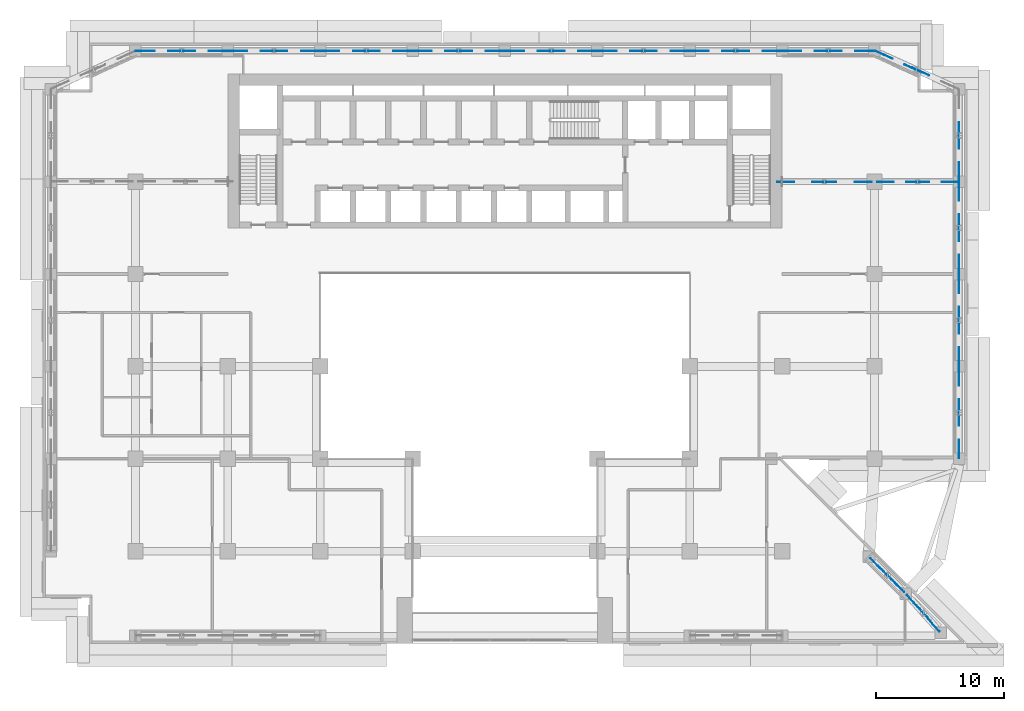
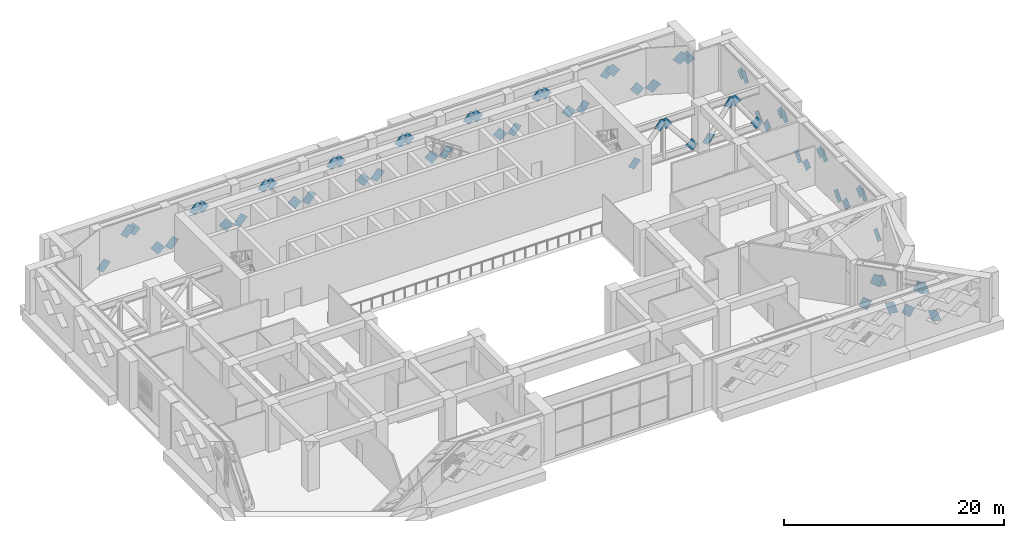
# One storey, part 13 of 19: 66 discrete accessories.
"""IFC4 building model written with IfcOpenShell, lengths in metres."""

from ifc_helpers import new_model, si_unit, direction, frame, origin, place, context, subcontext, project, spatial, polyline, outline, extrude, element, save


model = new_model("IFC4")

# Units and contexts
model_context = context("Model", 3, precision=1e-05, world=origin(), true_north=direction((0.0, 1.0)))
body_context = subcontext(model_context, "Body", "Model", "MODEL_VIEW")
ifc_project = project(units=[si_unit("LENGTHUNIT", "METRE"), si_unit("AREAUNIT", "SQUARE_METRE"), si_unit("VOLUMEUNIT", "CUBIC_METRE"), si_unit("PLANEANGLEUNIT", "RADIAN"), si_unit("MASSUNIT", "GRAM", prefix="KILO")], contexts=[model_context])

# Site, building, storey
site_placement = place(None, origin())
site = spatial("IfcSite", under=ifc_project, at=site_placement, CompositionType="ELEMENT")
building_placement = place(site_placement, origin())
building = spatial("IfcBuilding", under=site, at=building_placement, Name="Saffron Iwan Residences", CompositionType="ELEMENT")
storey_placement = place(building_placement, frame((0.0, 0.0, 107.5)))
storey = spatial("IfcBuildingStorey", under=building, at=storey_placement, Name="L28", CompositionType="ELEMENT", Elevation=107.5)

# Discrete accessories
for number, where, z_axis, x_axis, name in (
    (1, (21.630126953125, 79.800048828125, 0.511474609375), (0.0, 1.0, 0.0), (0.650255036817, 0.0, 0.759715991075), "Gusset plate L28"),
    (2, (25.619873046875, 79.800048828125, 3.78857421875), (0.0, 1.0, 0.0), (-0.650255036817, 0.0, -0.759715991075), "Gusset plate L28"),
):
    element("IfcDiscreteAccessory", number, at=place(storey_placement, frame(where, z_axis=z_axis, x_axis=x_axis)), inside=storey, Name=name, PredefinedType="BRACKET", context=body_context, shape_type="SweptSolid", body=[
        extrude(outline(polyline([(0.0, 0.0), (1.199949855551478, 0.0), (1.2000292323870267, 0.9000551304320503), (-7.937683554892772e-05, 0.8998696528951668), (0.0, 0.0)])), origin(), (0.0, 0.0, -1.0), 0.030029296875),
    ])
discrete_accessory_1_placement = place(storey_placement, frame((25.4638671875, 79.800048828125, 4.373779296875), z_axis=(0.0, 1.0, 0.0), x_axis=(0.650255036817, 0.0, -0.759715991075)))
element("IfcDiscreteAccessory", 3, at=discrete_accessory_1_placement, inside=storey, Name="Gusset plate L28", PredefinedType="BRACKET", context=body_context, shape_type="SweptSolid", body=[
    extrude(outline(polyline([(0.0, 0.0), (1.199949855551478, 0.0), (1.1998704787159291, 0.9000551304320502), (-7.937683554892772e-05, 0.9000551304320501), (0.0, 0.0)])), origin(), (0.0, 0.0, -1.0), 0.030029296875),
])
discrete_accessory_2_placement = place(storey_placement, frame((28.086181640625, 79.800048828125, -0.07373046875), z_axis=(0.0, 1.0, 0.0), x_axis=(-0.650255036817, 0.0, 0.759715991075)))
element("IfcDiscreteAccessory", 4, at=discrete_accessory_2_placement, inside=storey, Name="Gusset plate L28", PredefinedType="BRACKET", context=body_context, shape_type="SweptSolid", body=[
    extrude(outline(polyline([(0.0, 0.0), (1.199949855551478, 0.0), (1.200029232387027, 0.8998696528951668), (-7.937683554892772e-05, 0.9000551304320501), (0.0, 0.0)])), origin(), (0.0, 0.0, -1.0), 0.030029296875),
])
discrete_accessory_3_placement = place(storey_placement, frame((28.830078125, 79.800048828125, 0.511474609375), z_axis=(0.0, 1.0, 0.0), x_axis=(0.650255036817, 0.0, 0.759715991075)))
element("IfcDiscreteAccessory", 5, at=discrete_accessory_3_placement, inside=storey, Name="Gusset plate L28", PredefinedType="BRACKET", context=body_context, shape_type="SweptSolid", body=[
    extrude(outline(polyline([(0.0, 0.0), (1.199949855551478, 0.0), (1.2000292323870267, 0.9000551304320503), (7.937683554892772e-05, 0.9000551304320501), (0.0, 0.0)])), origin(), (0.0, 0.0, -1.0), 0.030029296875),
])
discrete_accessory_4_placement = place(storey_placement, frame((32.81982421875, 79.800048828125, 3.78857421875), z_axis=(0.0, 1.0, 0.0), x_axis=(-0.650255036817, 0.0, -0.759715991075)))
element("IfcDiscreteAccessory", 6, at=discrete_accessory_4_placement, inside=storey, Name="Gusset plate L28", PredefinedType="BRACKET", context=body_context, shape_type="SweptSolid", body=[
    extrude(outline(polyline([(0.0, 0.0), (1.199949855551478, 0.0), (1.2000292323870267, 0.9000551304320503), (-7.937683554892772e-05, 0.8998696528951668), (0.0, 0.0)])), origin(), (0.0, 0.0, -1.0), 0.030029296875),
])
discrete_accessory_5_placement = place(storey_placement, frame((32.663818359375, 79.800048828125, 4.373779296875), z_axis=(0.0, 1.0, 0.0), x_axis=(0.650255036817, 0.0, -0.759715991075)))
element("IfcDiscreteAccessory", 7, at=discrete_accessory_5_placement, inside=storey, Name="Gusset plate L28", PredefinedType="BRACKET", context=body_context, shape_type="SweptSolid", body=[
    extrude(outline(polyline([(0.0, 0.0), (1.199949855551478, 0.0), (1.200029232387027, 0.8998696528951668), (-7.937683554892772e-05, 0.9000551304320501), (0.0, 0.0)])), origin(), (0.0, 0.0, -1.0), 0.030029296875),
])
discrete_accessory_6_placement = place(storey_placement, frame((35.2861328125, 79.800048828125, -0.07373046875), z_axis=(0.0, 1.0, 0.0), x_axis=(-0.650255036817, 0.0, 0.759715991075)))
element("IfcDiscreteAccessory", 8, at=discrete_accessory_6_placement, inside=storey, Name="Gusset plate L28", PredefinedType="BRACKET", context=body_context, shape_type="SweptSolid", body=[
    extrude(outline(polyline([(0.0, 0.0), (1.199949855551478, 0.0), (1.1998704787159291, 0.9000551304320502), (-7.937683554892772e-05, 0.9000551304320501), (0.0, 0.0)])), origin(), (0.0, 0.0, -1.0), 0.030029296875),
])
discrete_accessory_7_placement = place(storey_placement, frame((36.030029296875, 79.800048828125, 0.511474609375), z_axis=(0.0, 1.0, 0.0), x_axis=(0.650255036817, 0.0, 0.759715991075)))
element("IfcDiscreteAccessory", 9, at=discrete_accessory_7_placement, inside=storey, Name="Gusset plate L28", PredefinedType="BRACKET", context=body_context, shape_type="SweptSolid", body=[
    extrude(outline(polyline([(0.0, 0.0), (1.199949855551478, 0.0), (1.2000292323870267, 0.9000551304320503), (7.937683554892772e-05, 0.9000551304320501), (0.0, 0.0)])), origin(), (0.0, 0.0, -1.0), 0.030029296875),
])
discrete_accessory_8_placement = place(storey_placement, frame((40.02001953125, 79.800048828125, 3.78857421875), z_axis=(0.0, 1.0, 0.0), x_axis=(-0.650372443632, 0.0, -0.759615484679)))
element("IfcDiscreteAccessory", 10, at=discrete_accessory_8_placement, inside=storey, Name="Gusset plate L28", PredefinedType="BRACKET", context=body_context, shape_type="SweptSolid", body=[
    extrude(outline(polyline([(0.0, 0.0), (1.2001086235554106, 0.0), (1.2001683221373671, 0.89986965441581), (0.00021848091682746817, 0.9000551074149994), (0.0, 0.0)])), origin(), (0.0, 0.0, -1.0), 0.030029296875),
])
discrete_accessory_9_placement = place(storey_placement, frame((39.86376953125, 79.800048828125, 4.373779296875), z_axis=(0.0, 1.0, 0.0), x_axis=(0.650372443632, 0.0, -0.759615484679)))
element("IfcDiscreteAccessory", 11, at=discrete_accessory_9_placement, inside=storey, Name="Gusset plate L28", PredefinedType="BRACKET", context=body_context, shape_type="SweptSolid", body=[
    extrude(outline(polyline([(0.0, 0.0), (1.2001086235554106, 0.0), (1.199890142638583, 0.9000551074149993), (-5.9698581956479924e-05, 0.89986965441581), (0.0, 0.0)])), origin(), (0.0, 0.0, -1.0), 0.030029296875),
])
discrete_accessory_10_placement = place(storey_placement, frame((42.486083984375, 79.800048828125, -0.07373046875), z_axis=(0.0, 1.0, 0.0), x_axis=(-0.650255036817, 0.0, 0.759715991075)))
element("IfcDiscreteAccessory", 12, at=discrete_accessory_10_placement, inside=storey, Name="Gusset plate L28", PredefinedType="BRACKET", context=body_context, shape_type="SweptSolid", body=[
    extrude(outline(polyline([(0.0, 0.0), (1.199949855551478, 0.0), (1.1998704787159291, 0.9000551304320502), (-7.937683554892772e-05, 0.9000551304320501), (0.0, 0.0)])), origin(), (0.0, 0.0, -1.0), 0.030029296875),
])
discrete_accessory_11_placement = place(storey_placement, frame((43.22998046875, 79.800048828125, 0.511474609375), z_axis=(0.0, 1.0, 0.0), x_axis=(0.650372443632, 0.0, 0.759615484679)))
element("IfcDiscreteAccessory", 13, at=discrete_accessory_11_placement, inside=storey, Name="Gusset plate L28", PredefinedType="BRACKET", context=body_context, shape_type="SweptSolid", body=[
    extrude(outline(polyline([(0.0, 0.0), (1.2001086235554106, 0.0), (1.2001683221373671, 0.89986965441581), (0.00021848091682746817, 0.9000551074149994), (0.0, 0.0)])), origin(), (0.0, 0.0, -1.0), 0.030029296875),
])
discrete_accessory_12_placement = place(storey_placement, frame((47.219970703125, 79.800048828125, 3.78857421875), z_axis=(0.0, 1.0, 0.0), x_axis=(-0.650255036817, 0.0, -0.759715991075)))
element("IfcDiscreteAccessory", 14, at=discrete_accessory_12_placement, inside=storey, Name="Gusset plate L28", PredefinedType="BRACKET", context=body_context, shape_type="SweptSolid", body=[
    extrude(outline(polyline([(0.0, 0.0), (1.199949855551478, 0.0), (1.2000292323870267, 0.9000551304320503), (7.937683554892772e-05, 0.9000551304320501), (0.0, 0.0)])), origin(), (0.0, 0.0, -1.0), 0.030029296875),
])
for number, where, z_axis, x_axis, name in (
    (15, (47.063720703125, 79.800048828125, 4.373779296875), (0.0, 1.0, 0.0), (0.650372443632, 0.0, -0.759615484679), "Gusset plate L28"),
    (16, (49.686279296875, 79.800048828125, -0.07373046875), (0.0, 1.0, 0.0), (-0.650372443632, 0.0, 0.759615484679), "Gusset plate L28"),
):
    element("IfcDiscreteAccessory", number, at=place(storey_placement, frame(where, z_axis=z_axis, x_axis=x_axis)), inside=storey, Name=name, PredefinedType="BRACKET", context=body_context, shape_type="SweptSolid", body=[
        extrude(outline(polyline([(0.0, 0.0), (1.2001086235554106, 0.0), (1.199890142638583, 0.9000551074149993), (-5.9698581956479924e-05, 0.89986965441581), (0.0, 0.0)])), origin(), (0.0, 0.0, -1.0), 0.030029296875),
    ])
discrete_accessory_13_placement = place(storey_placement, frame((50.43017578125, 79.800048828125, 0.511474609375), z_axis=(0.0, 1.0, 0.0), x_axis=(0.650255036817, 0.0, 0.759715991075)))
element("IfcDiscreteAccessory", 17, at=discrete_accessory_13_placement, inside=storey, Name="Gusset plate L28", PredefinedType="BRACKET", context=body_context, shape_type="SweptSolid", body=[
    extrude(outline(polyline([(0.0, 0.0), (1.199949855551478, 0.0), (1.2000292323870267, 0.9000551304320503), (-7.937683554892772e-05, 0.8998696528951668), (0.0, 0.0)])), origin(), (0.0, 0.0, -1.0), 0.030029296875),
])
discrete_accessory_14_placement = place(storey_placement, frame((54.419921875, 79.800048828125, 3.78857421875), z_axis=(0.0, 1.0, 0.0), x_axis=(-0.650255036817, 0.0, -0.759715991075)))
element("IfcDiscreteAccessory", 18, at=discrete_accessory_14_placement, inside=storey, Name="Gusset plate L28", PredefinedType="BRACKET", context=body_context, shape_type="SweptSolid", body=[
    extrude(outline(polyline([(0.0, 0.0), (1.199949855551478, 0.0), (1.2000292323870267, 0.9000551304320503), (7.937683554892772e-05, 0.9000551304320501), (0.0, 0.0)])), origin(), (0.0, 0.0, -1.0), 0.030029296875),
])
discrete_accessory_15_placement = place(storey_placement, frame((54.263916015625, 79.800048828125, 4.373779296875), z_axis=(0.0, 1.0, 0.0), x_axis=(0.650255036817, 0.0, -0.759715991075)))
element("IfcDiscreteAccessory", 19, at=discrete_accessory_15_placement, inside=storey, Name="Gusset plate L28", PredefinedType="BRACKET", context=body_context, shape_type="SweptSolid", body=[
    extrude(outline(polyline([(0.0, 0.0), (1.199949855551478, 0.0), (1.1998704787159291, 0.9000551304320502), (-7.937683554892772e-05, 0.9000551304320501), (0.0, 0.0)])), origin(), (0.0, 0.0, -1.0), 0.030029296875),
])
discrete_accessory_16_placement = place(storey_placement, frame((56.88623046875, 79.800048828125, -0.07373046875), z_axis=(0.0, 1.0, 0.0), x_axis=(-0.650372443632, 0.0, 0.759615484679)))
element("IfcDiscreteAccessory", 20, at=discrete_accessory_16_placement, inside=storey, Name="Gusset plate L28", PredefinedType="BRACKET", context=body_context, shape_type="SweptSolid", body=[
    extrude(outline(polyline([(0.0, 0.0), (1.2001086235554106, 0.0), (1.199890142638583, 0.9000551074149993), (-5.9698581956479924e-05, 0.89986965441581), (0.0, 0.0)])), origin(), (0.0, 0.0, -1.0), 0.030029296875),
])
for number, where, z_axis, x_axis, name in (
    (21, (57.630126953125, 79.800048828125, 0.511474609375), (0.0, 1.0, 0.0), (0.650255036817, 0.0, 0.759715991075), "Gusset plate L28"),
    (22, (61.619873046875, 79.800048828125, 3.78857421875), (0.0, 1.0, 0.0), (-0.650255036817, 0.0, -0.759715991075), "Gusset plate L28"),
):
    element("IfcDiscreteAccessory", number, at=place(storey_placement, frame(where, z_axis=z_axis, x_axis=x_axis)), inside=storey, Name=name, PredefinedType="BRACKET", context=body_context, shape_type="SweptSolid", body=[
        extrude(outline(polyline([(0.0, 0.0), (1.199949855551478, 0.0), (1.2000292323870267, 0.9000551304320503), (-7.937683554892772e-05, 0.8998696528951668), (0.0, 0.0)])), origin(), (0.0, 0.0, -1.0), 0.030029296875),
    ])
discrete_accessory_17_placement = place(storey_placement, frame((61.4638671875, 79.800048828125, 4.373779296875), z_axis=(0.0, 1.0, 0.0), x_axis=(0.650255036817, 0.0, -0.759715991075)))
element("IfcDiscreteAccessory", 23, at=discrete_accessory_17_placement, inside=storey, Name="Gusset plate L28", PredefinedType="BRACKET", context=body_context, shape_type="SweptSolid", body=[
    extrude(outline(polyline([(0.0, 0.0), (1.199949855551478, 0.0), (1.1998704787159291, 0.9000551304320502), (-7.937683554892772e-05, 0.9000551304320501), (0.0, 0.0)])), origin(), (0.0, 0.0, -1.0), 0.030029296875),
])
discrete_accessory_18_placement = place(storey_placement, frame((64.086181640625, 79.800048828125, -0.07373046875), z_axis=(0.0, 1.0, 0.0), x_axis=(-0.650255036817, 0.0, 0.759715991075)))
element("IfcDiscreteAccessory", 24, at=discrete_accessory_18_placement, inside=storey, Name="Gusset plate L28", PredefinedType="BRACKET", context=body_context, shape_type="SweptSolid", body=[
    extrude(outline(polyline([(0.0, 0.0), (1.199949855551478, 0.0), (1.200029232387027, 0.8998696528951668), (-7.937683554892772e-05, 0.9000551304320501), (0.0, 0.0)])), origin(), (0.0, 0.0, -1.0), 0.030029296875),
])
discrete_accessory_19_placement = place(storey_placement, frame((64.830078125, 79.800048828125, 0.511474609375), z_axis=(0.0, 1.0, 0.0), x_axis=(0.650255036817, 0.0, 0.759715991075)))
element("IfcDiscreteAccessory", 25, at=discrete_accessory_19_placement, inside=storey, Name="Gusset plate L28", PredefinedType="BRACKET", context=body_context, shape_type="SweptSolid", body=[
    extrude(outline(polyline([(0.0, 0.0), (1.199949855551478, 0.0), (1.2000292323870267, 0.9000551304320503), (7.937683554892772e-05, 0.9000551304320501), (0.0, 0.0)])), origin(), (0.0, 0.0, -1.0), 0.030029296875),
])
discrete_accessory_20_placement = place(storey_placement, frame((68.81982421875, 79.800048828125, 3.78857421875), z_axis=(0.0, 1.0, 0.0), x_axis=(-0.650255036817, 0.0, -0.759715991075)))
element("IfcDiscreteAccessory", 26, at=discrete_accessory_20_placement, inside=storey, Name="Gusset plate L28", PredefinedType="BRACKET", context=body_context, shape_type="SweptSolid", body=[
    extrude(outline(polyline([(0.0, 0.0), (1.199949855551478, 0.0), (1.2000292323870267, 0.9000551304320503), (-7.937683554892772e-05, 0.8998696528951668), (0.0, 0.0)])), origin(), (0.0, 0.0, -1.0), 0.030029296875),
])
discrete_accessory_21_placement = place(storey_placement, frame((68.663818359375, 79.800048828125, 4.373779296875), z_axis=(0.0, 1.0, 0.0), x_axis=(0.650255036817, 0.0, -0.759715991075)))
element("IfcDiscreteAccessory", 27, at=discrete_accessory_21_placement, inside=storey, Name="Gusset plate L28", PredefinedType="BRACKET", context=body_context, shape_type="SweptSolid", body=[
    extrude(outline(polyline([(0.0, 0.0), (1.199949855551478, 0.0), (1.200029232387027, 0.8998696528951668), (-7.937683554892772e-05, 0.9000551304320501), (0.0, 0.0)])), origin(), (0.0, 0.0, -1.0), 0.030029296875),
])
discrete_accessory_22_placement = place(storey_placement, frame((71.2861328125, 79.800048828125, -0.07373046875), z_axis=(0.0, 1.0, 0.0), x_axis=(-0.650255036817, 0.0, 0.759715991075)))
element("IfcDiscreteAccessory", 28, at=discrete_accessory_22_placement, inside=storey, Name="Gusset plate L28", PredefinedType="BRACKET", context=body_context, shape_type="SweptSolid", body=[
    extrude(outline(polyline([(0.0, 0.0), (1.199949855551478, 0.0), (1.1998704787159291, 0.9000551304320502), (-7.937683554892772e-05, 0.9000551304320501), (0.0, 0.0)])), origin(), (0.0, 0.0, -1.0), 0.030029296875),
])
discrete_accessory_23_placement = place(storey_placement, frame((72.030029296875, 79.800048828125, 0.511474609375), z_axis=(0.0, 1.0, 0.0), x_axis=(0.650255036817, 0.0, 0.759715991075)))
element("IfcDiscreteAccessory", 29, at=discrete_accessory_23_placement, inside=storey, Name="Gusset plate L28", PredefinedType="BRACKET", context=body_context, shape_type="SweptSolid", body=[
    extrude(outline(polyline([(0.0, 0.0), (1.199949855551478, 0.0), (1.2000292323870267, 0.9000551304320503), (7.937683554892772e-05, 0.9000551304320501), (0.0, 0.0)])), origin(), (0.0, 0.0, -1.0), 0.030029296875),
])
discrete_accessory_24_placement = place(storey_placement, frame((76.02001953125, 79.800048828125, 3.78857421875), z_axis=(0.0, 1.0, 0.0), x_axis=(-0.650372443632, 0.0, -0.759615484679)))
element("IfcDiscreteAccessory", 30, at=discrete_accessory_24_placement, inside=storey, Name="Gusset plate L28", PredefinedType="BRACKET", context=body_context, shape_type="SweptSolid", body=[
    extrude(outline(polyline([(0.0, 0.0), (1.2001086235554106, 0.0), (1.2001683221373671, 0.89986965441581), (0.00021848091682746817, 0.9000551074149994), (0.0, 0.0)])), origin(), (0.0, 0.0, -1.0), 0.030029296875),
])
discrete_accessory_25_placement = place(storey_placement, frame((75.86376953125, 79.800048828125, 4.373779296875), z_axis=(0.0, 1.0, 0.0), x_axis=(0.650372443632, 0.0, -0.759615484679)))
element("IfcDiscreteAccessory", 31, at=discrete_accessory_25_placement, inside=storey, Name="Gusset plate L28", PredefinedType="BRACKET", context=body_context, shape_type="SweptSolid", body=[
    extrude(outline(polyline([(0.0, 0.0), (1.2001086235554106, 0.0), (1.199890142638583, 0.9000551074149993), (-5.9698581956479924e-05, 0.89986965441581), (0.0, 0.0)])), origin(), (0.0, 0.0, -1.0), 0.030029296875),
])
discrete_accessory_26_placement = place(storey_placement, frame((78.486083984375, 79.800048828125, -0.07373046875), z_axis=(0.0, 1.0, 0.0), x_axis=(-0.650255036817, 0.0, 0.759715991075)))
element("IfcDiscreteAccessory", 32, at=discrete_accessory_26_placement, inside=storey, Name="Gusset plate L28", PredefinedType="BRACKET", context=body_context, shape_type="SweptSolid", body=[
    extrude(outline(polyline([(0.0, 0.0), (1.199949855551478, 0.0), (1.1998704787159291, 0.9000551304320502), (-7.937683554892772e-05, 0.9000551304320501), (0.0, 0.0)])), origin(), (0.0, 0.0, -1.0), 0.030029296875),
])
discrete_accessory_27_placement = place(storey_placement, frame((79.26708984375, 79.76953125, 0.51025390625), z_axis=(-0.413814210378, -0.910361354789, 5.4739446e-05), x_axis=(0.589939741329, -0.268117441059, 0.761632548806)))
element("IfcDiscreteAccessory", 33, at=discrete_accessory_27_placement, inside=storey, Name="Gusset plate L28", PredefinedType="BRACKET", context=body_context, shape_type="SweptSolid", body=[
    extrude(outline(polyline([(0.0, 0.0), (1.2001358154051112, 0.0), (1.2001109829469798, -0.9000382795953155), (-2.4832458131118784e-05, -0.9000382795953153), (0.0, 0.0)])), origin(), (0.0, 0.0, -1.0), 0.030029296875),
])
discrete_accessory_28_placement = place(storey_placement, frame((82.8828125, 78.1259765625, 3.789794921875), z_axis=(0.413800127674, 0.91036775764, 1.3684396e-05), x_axis=(-0.589824507716, 0.268111297091, -0.761723954244)))
element("IfcDiscreteAccessory", 34, at=discrete_accessory_28_placement, inside=storey, Name="Gusset plate L28", PredefinedType="BRACKET", context=body_context, shape_type="SweptSolid", body=[
    extrude(outline(polyline([(0.0, 0.0), (1.1999918022767924, 0.0), (1.1999840060754534, 0.900207565670256), (-0.00015179632529316311, 0.9000382657197904), (0.0, 0.0)])), origin(), (0.0, 0.0, -1.0), 0.030029296875),
])
discrete_accessory_29_placement = place(storey_placement, frame((82.7412109375, 78.190185546875, 4.373046875), z_axis=(-0.413800127674, -0.91036775764, 1.3684396e-05), x_axis=(0.589877868894, -0.268135551223, -0.76167409432)))
element("IfcDiscreteAccessory", 35, at=discrete_accessory_29_placement, inside=storey, Name="Gusset plate L28", PredefinedType="BRACKET", context=body_context, shape_type="SweptSolid", body=[
    extrude(outline(polyline([(0.0, 0.0), (1.2000703490943279, 0.0), (1.2000743348362195, -0.9001306171289016), (1.7073331356587396e-05, -0.9001152212119425), (0.0, 0.0)])), origin(), (0.0, 0.0, -1.0), 0.030029296875),
])
discrete_accessory_30_placement = place(storey_placement, frame((85.800048828125, 72.780029296875, 3.78857421875), z_axis=(1.0, 0.0, 0.0), x_axis=(0.0, 0.650255036817, -0.759715991075)))
element("IfcDiscreteAccessory", 36, at=discrete_accessory_30_placement, inside=storey, Name="Gusset plate L28", PredefinedType="BRACKET", context=body_context, shape_type="SweptSolid", body=[
    extrude(outline(polyline([(0.0, 0.0), (1.199949855551478, 0.0), (1.2000292323870267, 0.9000551304320503), (7.937683554892772e-05, 0.9000551304320501), (0.0, 0.0)])), origin(), (0.0, 0.0, -1.0), 0.030029296875),
])
for number, where, z_axis, x_axis, name in (
    (37, (85.800048828125, 72.936279296875, 4.373779296875), (1.0, 0.0, 0.0), (0.0, -0.650372443632, -0.759615484679), "Gusset plate L28"),
    (38, (85.800048828125, 70.313720703125, -0.07373046875), (1.0, 0.0, 0.0), (0.0, 0.650372443632, 0.759615484679), "Gusset plate L28"),
):
    element("IfcDiscreteAccessory", number, at=place(storey_placement, frame(where, z_axis=z_axis, x_axis=x_axis)), inside=storey, Name=name, PredefinedType="BRACKET", context=body_context, shape_type="SweptSolid", body=[
        extrude(outline(polyline([(0.0, 0.0), (1.2001086235554106, 0.0), (1.199890142638583, 0.9000551074149993), (-5.9698581956479924e-05, 0.89986965441581), (0.0, 0.0)])), origin(), (0.0, 0.0, -1.0), 0.030029296875),
    ])
discrete_accessory_31_placement = place(storey_placement, frame((85.800048828125, 69.56982421875, 0.511474609375), z_axis=(1.0, 0.0, 0.0), x_axis=(0.0, -0.650255036817, 0.759715991075)))
element("IfcDiscreteAccessory", 39, at=discrete_accessory_31_placement, inside=storey, Name="Gusset plate L28", PredefinedType="BRACKET", context=body_context, shape_type="SweptSolid", body=[
    extrude(outline(polyline([(0.0, 0.0), (1.199949855551478, 0.0), (1.2000292323870267, 0.9000551304320503), (-7.937683554892772e-05, 0.8998696528951668), (0.0, 0.0)])), origin(), (0.0, 0.0, -1.0), 0.030029296875),
])
discrete_accessory_32_placement = place(storey_placement, frame((85.800048828125, 65.580078125, 3.78857421875), z_axis=(1.0, 0.0, 0.0), x_axis=(0.0, 0.650255036817, -0.759715991075)))
element("IfcDiscreteAccessory", 40, at=discrete_accessory_32_placement, inside=storey, Name="Gusset plate L28", PredefinedType="BRACKET", context=body_context, shape_type="SweptSolid", body=[
    extrude(outline(polyline([(0.0, 0.0), (1.199949855551478, 0.0), (1.2000292323870267, 0.9000551304320503), (7.937683554892772e-05, 0.9000551304320501), (0.0, 0.0)])), origin(), (0.0, 0.0, -1.0), 0.030029296875),
])
discrete_accessory_33_placement = place(storey_placement, frame((85.800048828125, 65.736083984375, 4.373779296875), z_axis=(1.0, 0.0, 0.0), x_axis=(0.0, -0.650255036817, -0.759715991075)))
element("IfcDiscreteAccessory", 41, at=discrete_accessory_33_placement, inside=storey, Name="Gusset plate L28", PredefinedType="BRACKET", context=body_context, shape_type="SweptSolid", body=[
    extrude(outline(polyline([(0.0, 0.0), (1.199949855551478, 0.0), (1.1998704787159291, 0.9000551304320502), (-7.937683554892772e-05, 0.9000551304320501), (0.0, 0.0)])), origin(), (0.0, 0.0, -1.0), 0.030029296875),
])
discrete_accessory_34_placement = place(storey_placement, frame((85.800048828125, 63.11376953125, -0.07373046875), z_axis=(1.0, 0.0, 0.0), x_axis=(0.0, 0.650372443632, 0.759615484679)))
element("IfcDiscreteAccessory", 42, at=discrete_accessory_34_placement, inside=storey, Name="Gusset plate L28", PredefinedType="BRACKET", context=body_context, shape_type="SweptSolid", body=[
    extrude(outline(polyline([(0.0, 0.0), (1.2001086235554106, 0.0), (1.199890142638583, 0.9000551074149993), (-5.9698581956479924e-05, 0.89986965441581), (0.0, 0.0)])), origin(), (0.0, 0.0, -1.0), 0.030029296875),
])
for number, where, z_axis, x_axis, name in (
    (43, (85.800048828125, 62.369873046875, 0.511474609375), (1.0, 0.0, 0.0), (0.0, -0.650255036817, 0.759715991075), "Gusset plate L28"),
    (44, (85.800048828125, 58.380126953125, 3.78857421875), (1.0, 0.0, 0.0), (0.0, 0.650255036817, -0.759715991075), "Gusset plate L28"),
):
    element("IfcDiscreteAccessory", number, at=place(storey_placement, frame(where, z_axis=z_axis, x_axis=x_axis)), inside=storey, Name=name, PredefinedType="BRACKET", context=body_context, shape_type="SweptSolid", body=[
        extrude(outline(polyline([(0.0, 0.0), (1.199949855551478, 0.0), (1.2000292323870267, 0.9000551304320503), (-7.937683554892772e-05, 0.8998696528951668), (0.0, 0.0)])), origin(), (0.0, 0.0, -1.0), 0.030029296875),
    ])
discrete_accessory_35_placement = place(storey_placement, frame((85.800048828125, 58.5361328125, 4.373779296875), z_axis=(1.0, 0.0, 0.0), x_axis=(0.0, -0.650255036817, -0.759715991075)))
element("IfcDiscreteAccessory", 45, at=discrete_accessory_35_placement, inside=storey, Name="Gusset plate L28", PredefinedType="BRACKET", context=body_context, shape_type="SweptSolid", body=[
    extrude(outline(polyline([(0.0, 0.0), (1.199949855551478, 0.0), (1.1998704787159291, 0.9000551304320502), (-7.937683554892772e-05, 0.9000551304320501), (0.0, 0.0)])), origin(), (0.0, 0.0, -1.0), 0.030029296875),
])
discrete_accessory_36_placement = place(storey_placement, frame((85.800048828125, 55.913818359375, -0.07373046875), z_axis=(1.0, 0.0, 0.0), x_axis=(0.0, 0.650255036817, 0.759715991075)))
element("IfcDiscreteAccessory", 46, at=discrete_accessory_36_placement, inside=storey, Name="Gusset plate L28", PredefinedType="BRACKET", context=body_context, shape_type="SweptSolid", body=[
    extrude(outline(polyline([(0.0, 0.0), (1.199949855551478, 0.0), (1.200029232387027, 0.8998696528951668), (-7.937683554892772e-05, 0.9000551304320501), (0.0, 0.0)])), origin(), (0.0, 0.0, -1.0), 0.030029296875),
])
discrete_accessory_37_placement = place(storey_placement, frame((85.800048828125, 55.169921875, 0.511474609375), z_axis=(1.0, 0.0, 0.0), x_axis=(0.0, -0.650255036817, 0.759715991075)))
element("IfcDiscreteAccessory", 47, at=discrete_accessory_37_placement, inside=storey, Name="Gusset plate L28", PredefinedType="BRACKET", context=body_context, shape_type="SweptSolid", body=[
    extrude(outline(polyline([(0.0, 0.0), (1.199949855551478, 0.0), (1.2000292323870267, 0.9000551304320503), (7.937683554892772e-05, 0.9000551304320501), (0.0, 0.0)])), origin(), (0.0, 0.0, -1.0), 0.030029296875),
])
discrete_accessory_38_placement = place(storey_placement, frame((85.800048828125, 51.18017578125, 3.78857421875), z_axis=(1.0, 0.0, 0.0), x_axis=(0.0, 0.650255036817, -0.759715991075)))
element("IfcDiscreteAccessory", 48, at=discrete_accessory_38_placement, inside=storey, Name="Gusset plate L28", PredefinedType="BRACKET", context=body_context, shape_type="SweptSolid", body=[
    extrude(outline(polyline([(0.0, 0.0), (1.199949855551478, 0.0), (1.2000292323870267, 0.9000551304320503), (-7.937683554892772e-05, 0.8998696528951668), (0.0, 0.0)])), origin(), (0.0, 0.0, -1.0), 0.030029296875),
])
discrete_accessory_39_placement = place(storey_placement, frame((85.800048828125, 51.336181640625, 4.373779296875), z_axis=(1.0, 0.0, 0.0), x_axis=(0.0, -0.650255036817, -0.759715991075)))
element("IfcDiscreteAccessory", 49, at=discrete_accessory_39_placement, inside=storey, Name="Gusset plate L28", PredefinedType="BRACKET", context=body_context, shape_type="SweptSolid", body=[
    extrude(outline(polyline([(0.0, 0.0), (1.199949855551478, 0.0), (1.200029232387027, 0.8998696528951668), (-7.937683554892772e-05, 0.9000551304320501), (0.0, 0.0)])), origin(), (0.0, 0.0, -1.0), 0.030029296875),
])
discrete_accessory_40_placement = place(storey_placement, frame((85.800048828125, 48.7138671875, -0.07373046875), z_axis=(1.0, 0.0, 0.0), x_axis=(0.0, 0.650255036817, 0.759715991075)))
element("IfcDiscreteAccessory", 50, at=discrete_accessory_40_placement, inside=storey, Name="Gusset plate L28", PredefinedType="BRACKET", context=body_context, shape_type="SweptSolid", body=[
    extrude(outline(polyline([(0.0, 0.0), (1.199949855551478, 0.0), (1.1998704787159291, 0.9000551304320502), (-7.937683554892772e-05, 0.9000551304320501), (0.0, 0.0)])), origin(), (0.0, 0.0, -1.0), 0.030029296875),
])
discrete_accessory_41_placement = place(storey_placement, frame((78.898193359375, 40.25341796875, 0.35791015625), z_axis=(0.707188246338, 0.707025305873, 3.3112372e-05), x_axis=(0.251497438332, -0.251599167925, 0.934583809624)))
element("IfcDiscreteAccessory", 51, at=discrete_accessory_41_placement, inside=storey, Name="Gusset plate L28", PredefinedType="BRACKET", context=body_context, shape_type="SweptSolid", body=[
    extrude(outline(polyline([(0.0, 0.0), (1.2000871645301903, 1.1102230246251565e-16), (1.200161373130024, 0.899912834669757), (0.00013563417794032473, 0.9000741916906815), (0.0, 0.0)])), origin(), (0.0, 0.0, -1.0), 0.030029296875),
])
discrete_accessory_42_placement = place(storey_placement, frame((80.543212890625, 38.608154296875, 3.942138671875), z_axis=(0.707106781187, 0.707106781187, 0.0), x_axis=(-0.251459447241, 0.251459447241, -0.934631634809)))
element("IfcDiscreteAccessory", 52, at=discrete_accessory_42_placement, inside=storey, Name="Gusset plate L28", PredefinedType="BRACKET", context=body_context, shape_type="SweptSolid", body=[
    extrude(outline(polyline([(0.0, 0.0), (1.2000257529038476, 0.0), (1.1999789642618184, 0.8999128406517822), (-4.678864202922739e-05, 0.8999128406517822), (0.0, 0.0)])), origin(), (0.0, 0.0, -1.0), 0.030029296875),
])
for number, where, z_axis, x_axis, name in (
    (53, (80.48291015625, 38.66845703125, 4.26220703125), (0.707106781187, 0.707106781187, 0.0), (0.251459447241, -0.251459447241, -0.934631634809), "Gusset plate L28"),
    (54, (80.9384765625, 38.212890625, 0.037841796875), (0.707106781187, 0.707106781187, 0.0), (-0.251459447241, 0.251459447241, 0.934631634809), "Gusset plate L28"),
):
    element("IfcDiscreteAccessory", number, at=place(storey_placement, frame(where, z_axis=z_axis, x_axis=x_axis)), inside=storey, Name=name, PredefinedType="BRACKET", context=body_context, shape_type="SweptSolid", body=[
        extrude(outline(polyline([(0.0, 0.0), (1.2000257529038476, 0.0), (1.2000725415458768, 0.8999128406517822), (4.678864202922739e-05, 0.8999128406517822), (0.0, 0.0)])), origin(), (0.0, 0.0, -1.0), 0.030029296875),
    ])
discrete_accessory_43_placement = place(storey_placement, frame((81.748046875, 37.3916015625, 0.3623046875), z_axis=(0.747682188451, 0.664056732659, 2.9720392e-05), x_axis=(0.241927155674, -0.272435010141, 0.931262807481)))
element("IfcDiscreteAccessory", 55, at=discrete_accessory_43_placement, inside=storey, Name="Gusset plate L28", PredefinedType="BRACKET", context=body_context, shape_type="SweptSolid", body=[
    extrude(outline(polyline([(0.0, 0.0), (1.1999100919225243, -5.551115123125783e-17), (1.199743434870166, 0.9001549445750738), (-0.00029223375299630705, 0.8998339726859605), (0.0, 0.0)])), origin(), (0.0, 0.0, -1.0), 0.030029296875),
])
discrete_accessory_44_placement = place(storey_placement, frame((83.31884765625, 35.622802734375, 3.937744140625), z_axis=(-0.747721536149, -0.664012424599, 6.6010643e-05), x_axis=(-0.241977673073, 0.272390150345, -0.931262804867)))
element("IfcDiscreteAccessory", 56, at=discrete_accessory_44_placement, inside=storey, Name="Gusset plate L28", PredefinedType="BRACKET", context=body_context, shape_type="SweptSolid", body=[
    extrude(outline(polyline([(0.0, 0.0), (1.199910088494415, 0.0), (1.1999707973822449, -0.9000659878167829), (1.6323074898960677e-06, -0.8999150229504866), (0.0, 0.0)])), origin(), (0.0, 0.0, -1.0), 0.030029296875),
])
discrete_accessory_45_placement = place(storey_placement, frame((83.2607421875, 35.688232421875, 4.265625), z_axis=(-0.747682183465, -0.664056738272, 2.9723331e-05), x_axis=(0.242092554811, -0.272621233823, -0.931165322472)))
element("IfcDiscreteAccessory", 57, at=discrete_accessory_45_placement, inside=storey, Name="Gusset plate L28", PredefinedType="BRACKET", context=body_context, shape_type="SweptSolid", body=[
    extrude(outline(polyline([(0.0, 0.0), (1.2000357115481164, 5.551115123125783e-17), (1.1997342701147877, -0.9000659439563737), (-0.00017577888727576818, -0.8997450056664031), (0.0, 0.0)])), origin(), (0.0, 0.0, -1.0), 0.030029296875),
])
discrete_accessory_46_placement = place(storey_placement, frame((83.71875, 35.172607421875, 0.0341796875), z_axis=(0.747721525078, 0.664012437066, 6.6004118e-05), x_axis=(-0.242055464359, 0.27247775299, 0.931216959843)))
element("IfcDiscreteAccessory", 58, at=discrete_accessory_46_placement, inside=storey, Name="Gusset plate L28", PredefinedType="BRACKET", context=body_context, shape_type="SweptSolid", body=[
    extrude(outline(polyline([(0.0, 0.0), (1.1999691745709953, 0.0), (1.2000225787129883, 0.9001549538488803), (0.00011249971434634798, 0.9000039964127745), (0.0, 0.0)])), origin(), (0.0, 0.0, -1.0), 0.030029296875),
])
discrete_accessory_47_placement = place(storey_placement, frame((71.619384765625, 69.60009765625, 0.58203125), z_axis=(0.0, 1.0, 0.0), x_axis=(0.637734316897, 0.0, 0.770256412536)))
element("IfcDiscreteAccessory", 59, at=discrete_accessory_47_placement, inside=storey, Name="Gusset plate L28", PredefinedType="BRACKET", context=body_context, shape_type="SweptSolid", body=[
    extrude(outline(polyline([(0.0, 0.0), (1.0795664342639504, 0.0), (1.0794885858365948, 0.8095808002569793), (-7.784842735553132e-05, 0.8095808002569793), (0.0, 0.0)])), origin(), (0.0, 0.0, -1.0), 0.030029296875),
])
discrete_accessory_48_placement = place(storey_placement, frame((75.6806640625, 69.60009765625, 4.218017578125), z_axis=(0.0, 1.0, 0.0), x_axis=(-0.637734316897, 0.0, -0.770256412536)))
element("IfcDiscreteAccessory", 60, at=discrete_accessory_48_placement, inside=storey, Name="Gusset plate L28", PredefinedType="BRACKET", context=body_context, shape_type="SweptSolid", body=[
    extrude(outline(polyline([(0.0, 0.0), (1.0795664342639504, 0.0), (1.0794885858365948, 0.8095808002569793), (7.784842735558684e-05, 0.809768851138946), (0.0, 0.0)])), origin(), (0.0, 0.0, -1.0), 0.030029296875),
])
discrete_accessory_49_placement = place(storey_placement, frame((75.54296875, 69.60009765625, 4.734375), z_axis=(0.0, 1.0, 0.0), x_axis=(0.637734316897, 0.0, -0.770256412536)))
element("IfcDiscreteAccessory", 61, at=discrete_accessory_49_placement, inside=storey, Name="Gusset plate L28", PredefinedType="BRACKET", context=body_context, shape_type="SweptSolid", body=[
    extrude(outline(polyline([(0.0, 0.0), (1.0795664342639504, 0.0), (1.0796442826913057, 0.8095808002569794), (-7.784842735558684e-05, 0.809768851138946), (0.0, 0.0)])), origin(), (0.0, 0.0, -1.0), 0.030029296875),
])
discrete_accessory_50_placement = place(storey_placement, frame((78.35693359375, 69.60009765625, 0.065673828125), z_axis=(0.0, 1.0, 0.0), x_axis=(-0.637600116043, 0.0, 0.770367504521)))
element("IfcDiscreteAccessory", 62, at=discrete_accessory_50_placement, inside=storey, Name="Gusset plate L28", PredefinedType="BRACKET", context=body_context, shape_type="SweptSolid", body=[
    extrude(outline(polyline([(0.0, 0.0), (1.079410753789998, 1.1102230246251565e-16), (1.0796296443384383, 0.809580774408605), (6.322645760953316e-05, 0.8097688524126383), (0.0, 0.0)])), origin(), (0.0, 0.0, -1.0), 0.030029296875),
])
for number, where, z_axis, x_axis, name in (
    (63, (79.406005859375, 69.60009765625, 0.5498046875), (0.0, 1.0, 0.0), (0.571442086921, 0.0, 0.820642395502), "Gusset plate L28"),
    (64, (82.968994140625, 69.60009765625, 4.250244140625), (0.0, 1.0, 0.0), (-0.571442086921, 0.0, -0.820642395502), "Gusset plate L28"),
):
    element("IfcDiscreteAccessory", number, at=place(storey_placement, frame(where, z_axis=z_axis, x_axis=x_axis)), inside=storey, Name=name, PredefinedType="BRACKET", context=body_context, shape_type="SweptSolid", body=[
        extrude(outline(polyline([(0.0, 0.0), (1.0796253434878835, 0.0), (1.0797103095817815, 0.8097342175956845), (8.49660938979091e-05, 0.8097342175956845), (0.0, 0.0)])), origin(), (0.0, 0.0, -1.0), 0.030029296875),
    ])
for number, where, z_axis, x_axis, name in (
    (65, (82.845703125, 69.60009765625, 4.712890625), (0.0, 1.0, 0.0), (0.571289766174, 0.0, -0.820748440794), "Gusset plate L28"),
    (66, (85.079345703125, 69.60009765625, 0.087158203125), (0.0, 1.0, 0.0), (-0.571289766174, 0.0, 0.820748440794), "Gusset plate L28"),
):
    element("IfcDiscreteAccessory", number, at=place(storey_placement, frame(where, z_axis=z_axis, x_axis=x_axis)), inside=storey, Name=name, PredefinedType="BRACKET", context=body_context, shape_type="SweptSolid", body=[
        extrude(outline(polyline([(0.0, 0.0), (1.0794858498522713, 0.0), (1.0795511701107805, 0.8097342194188142), (6.532025850913836e-05, 0.8097342194188142), (0.0, 0.0)])), origin(), (0.0, 0.0, -1.0), 0.030029296875),
    ])

save(model, "model.ifc")
